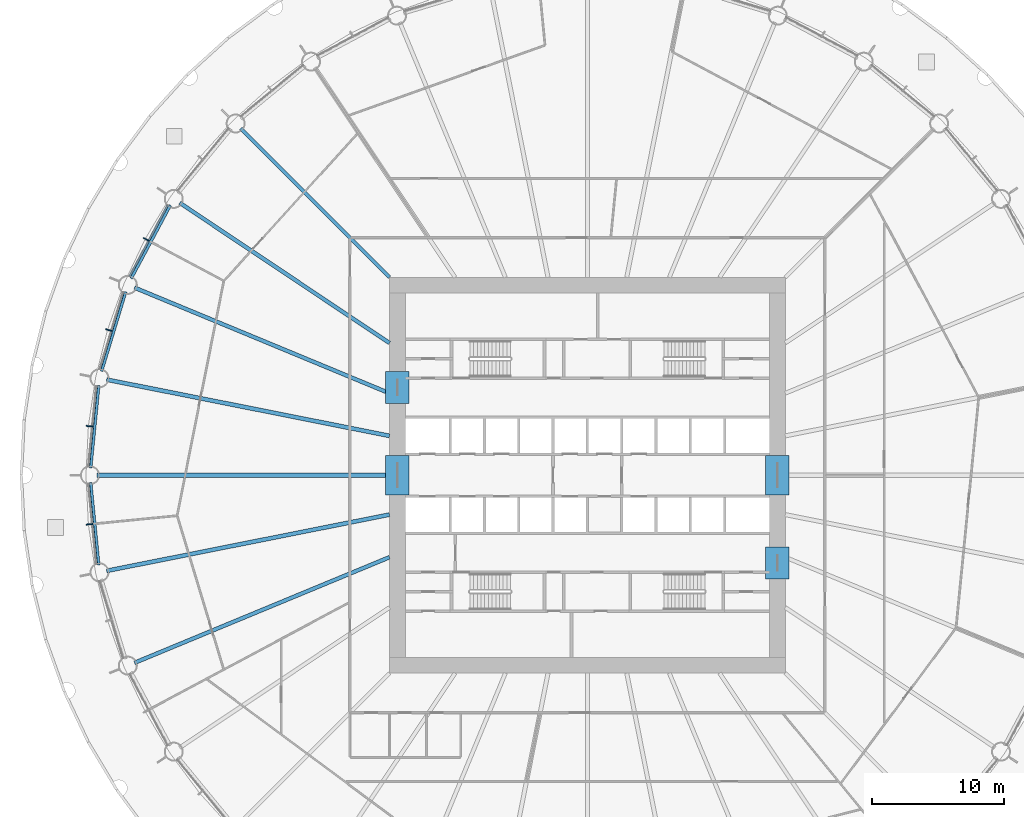
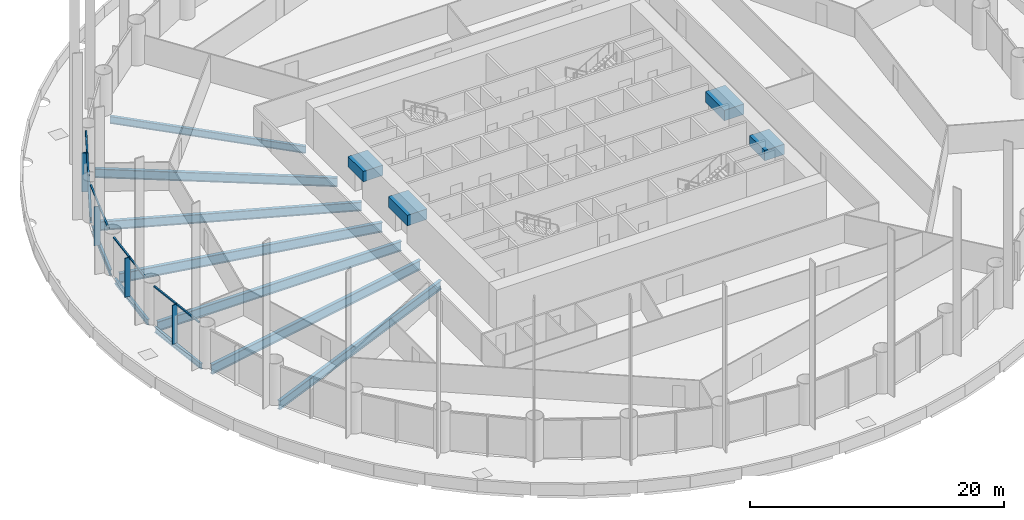
# One storey, part 3 of 17: 15 beams, 12 members, 4 elements without a shape of their own.
"""IFC4 building model written with IfcOpenShell, lengths in metres."""

from ifc_helpers import new_model, si_unit, direction, frame, origin, origin_2d, place, context, subcontext, project, spatial, rectangle, i_section, extrude, material, material_profile, profile_set, type_object, element, aggregate, save


model = new_model("IFC4")

# Units and contexts
model_context = context("Model", 3, precision=1e-05, world=origin(), true_north=direction((0.0, 1.0)))
body_context = subcontext(model_context, "Body", "Model", "MODEL_VIEW")
ifc_project = project(units=[si_unit("LENGTHUNIT", "METRE"), si_unit("AREAUNIT", "SQUARE_METRE"), si_unit("VOLUMEUNIT", "CUBIC_METRE"), si_unit("PLANEANGLEUNIT", "RADIAN"), si_unit("MASSUNIT", "GRAM", prefix="KILO")], contexts=[model_context])

# Site, building, storey
site_placement = place(None, origin())
site = spatial("IfcSite", under=ifc_project, at=site_placement, CompositionType="ELEMENT")
building_placement = place(site_placement, origin())
building = spatial("IfcBuilding", under=site, at=building_placement, Name="Corvane Civic Tower", CompositionType="ELEMENT")
storey_placement = place(building_placement, frame((0.0, 0.0, 37.0)))
storey = spatial("IfcBuildingStorey", under=building, at=storey_placement, Name="L07", CompositionType="ELEMENT", Elevation=37.0)

# Beams
ifc_material_1 = material(Name="Concrete C80/95", Category="concrete")
ifc_material_profile_1 = material_profile(ifc_material_1, rectangle(XDim=1.800048828125, YDim=1.0, at=origin_2d()), Name="COUPLING BEAM 1800X1000")
ifc_profile_set_1 = profile_set([ifc_material_profile_1], Name="Concrete C80/95")
beam_type_1 = type_object("IfcBeamType", Name="COUPLING BEAM COUPLING BEAM 1800X1000", PredefinedType="BEAM", material=ifc_profile_set_1)
for number, where, z_axis, x_axis, name in (
    (1, (-14.39990234375, -1.5, 2.60009765625), (0.0, 1.0, 0.0), (-1.0, 0.0, 0.0), "BM-L07-cpl-CW-LW"),
    (2, (14.39990234375, -1.5, 2.60009765625), (0.0, 1.0, 0.0), (-1.0, 0.0, 0.0), "BM-L07-cpl-CW-LE"),
):
    element("IfcBeam", number, at=place(storey_placement, frame(where, z_axis=z_axis, x_axis=x_axis)), inside=storey, type_object=beam_type_1, Name=name, PredefinedType="BEAM", context=body_context, shape_type="SweptSolid", body=[
        extrude(rectangle(XDim=1.800048828125, YDim=1.0, at=origin_2d()), origin(), (0.0, 0.0, 1.0), 3.0),
    ])
for number, where, z_axis, x_axis, name in (
    (3, (-14.39990234375, 5.449951171875, 2.60009765625), (0.0, 1.0, 0.0), (-1.0, 0.0, 0.0), "BM-L07-cpl-CW-WN"),
    (4, (14.39990234375, -7.85009765625, 2.60009765625), (0.0, 1.0, 0.0), (-1.0, 0.0, 0.0), "BM-L07-cpl-CW-ES"),
):
    element("IfcBeam", number, at=place(storey_placement, frame(where, z_axis=z_axis, x_axis=x_axis)), inside=storey, type_object=beam_type_1, Name=name, PredefinedType="BEAM", context=body_context, shape_type="SweptSolid", body=[
        extrude(rectangle(XDim=1.800048828125, YDim=1.0, at=origin_2d()), origin(), (0.0, 0.0, 1.0), 2.400146484375),
    ])
ifc_material_2 = material(Name="Steel ASTM A992 Gr 50", Category="steel")
ifc_material_profile_2 = material_profile(ifc_material_2, i_section(OverallWidth=0.209228515625, OverallDepth=0.533447265625, WebThickness=0.01025390625, FlangeThickness=0.015625, at=origin_2d()), Name="W21X62")
ifc_profile_set_2 = profile_set([ifc_material_profile_2], Name="Steel ASTM A992 Gr 50")
beam_type_2 = type_object("IfcBeamType", Name="EDGE BEAM W21X62", PredefinedType="BEAM", material=ifc_profile_set_2)
for number, where, z_axis, x_axis, name in (
    (5, (-37.029541015625, -6.8076171875, -0.566650390625), (-0.097997284622, 0.995186682089, 0.0), (-0.995186682089, -0.097997284622, 0.0), "BM-L07-E24"),
    (6, (-37.64599609375, 0.54736328125, -0.566650390625), (0.097997284622, 0.995186682089, 0.0), (-0.995186682089, 0.097997284622, 0.0), "BM-L07-E25"),
):
    element("IfcBeam", number, at=place(storey_placement, frame(where, z_axis=z_axis, x_axis=x_axis)), inside=storey, type_object=beam_type_2, Name=name, PredefinedType="BEAM", context=body_context, shape_type="SweptSolid", body=[
        extrude(i_section(OverallWidth=0.209228515625, OverallDepth=0.533447265625, WebThickness=0.01025390625, FlangeThickness=0.015625, at=origin_2d()), origin(), (0.0, 0.0, 1.0), 6.29052734375),
    ])
for number, where, z_axis, x_axis, name in (
    (7, (-36.81591796875, 7.88134765625, -0.566650390625), (0.290273452184, 0.956943740748, 0.0), (-0.956943740748, 0.290273452184, 0.0), "BM-L07-E26"),
    (8, (-34.571044921875, 14.912353515625, -0.566650390625), (0.471405897311, 0.881916367906, 0.0), (-0.881916367906, 0.471405897311, 0.0), "BM-L07-E27"),
):
    element("IfcBeam", number, at=place(storey_placement, frame(where, z_axis=z_axis, x_axis=x_axis)), inside=storey, type_object=beam_type_2, Name=name, PredefinedType="BEAM", context=body_context, shape_type="SweptSolid", body=[
        extrude(i_section(OverallWidth=0.209228515625, OverallDepth=0.533447265625, WebThickness=0.01025390625, FlangeThickness=0.015625, at=origin_2d()), origin(), (0.0, 0.0, 1.0), 6.290283203125),
    ])
ifc_material_3 = material(Name="Steel ASTM A992 Gr 50", Category="steel")
ifc_material_profile_3 = material_profile(ifc_material_3, i_section(OverallWidth=0.256591796875, OverallDepth=0.693359375, WebThickness=0.014404296875, FlangeThickness=0.023681640625, at=origin_2d()), Name="W27X114")
ifc_profile_set_3 = profile_set([ifc_material_profile_3], Name="Steel ASTM A992 Gr 50")
beam_type_3 = type_object("IfcBeamType", Name="FLOOR GIRDER W27X114", PredefinedType="BEAM", material=ifc_profile_set_3)
beam_1_placement = place(storey_placement, frame((-15.0, 15.0, -0.646728515625), z_axis=(-0.707106781187, 0.707106781187, 0.0), x_axis=(-0.707106781187, -0.707106781187, 0.0)))
element("IfcBeam", 9, at=beam_1_placement, inside=storey, type_object=beam_type_3, Name="BM-L07-G29", PredefinedType="BEAM", context=body_context, shape_type="SweptSolid", body=[
    extrude(i_section(OverallWidth=0.256591796875, OverallDepth=0.693359375, WebThickness=0.014404296875, FlangeThickness=0.023681640625, at=origin_2d()), origin(), (0.0, 0.0, 1.0), 15.936767578125),
])
ifc_material_4 = material(Name="Steel ASTM A992 Gr 50", Category="steel")
ifc_material_profile_4 = material_profile(ifc_material_4, i_section(OverallWidth=0.2919921875, OverallDepth=0.8583984375, WebThickness=0.01708984375, FlangeThickness=0.031005859375, at=origin_2d()), Name="W33X169")
ifc_profile_set_4 = profile_set([ifc_material_profile_4], Name="Steel ASTM A992 Gr 50")
beam_type_4 = type_object("IfcBeamType", Name="FLOOR GIRDER W33X169", PredefinedType="BEAM", material=ifc_profile_set_4)
for number, where, z_axis, x_axis, name in (
    (10, (-15.0, -6.213134765625, -0.729248046875), (-0.923875834355, -0.382692360381, 0.0), (0.382692360381, -0.923875834355, 0.0), "BM-L07-G23"),
    (11, (-15.0, 6.213134765625, -0.729248046875), (-0.923875834355, 0.382692360381, 0.0), (-0.382692360381, -0.923875834355, 0.0), "BM-L07-G27"),
):
    element("IfcBeam", number, at=place(storey_placement, frame(where, z_axis=z_axis, x_axis=x_axis)), inside=storey, type_object=beam_type_4, Name=name, PredefinedType="BEAM", context=body_context, shape_type="SweptSolid", body=[
        extrude(i_section(OverallWidth=0.2919921875, OverallDepth=0.8583984375, WebThickness=0.01708984375, FlangeThickness=0.031005859375, at=origin_2d()), origin(), (0.0, 0.0, 1.0), 20.9140625),
    ])
beam_2_placement = place(storey_placement, frame((-15.0, 10.022705078125, -0.729248046875), z_axis=(-0.831471985418, 0.555566681385, 0.0), x_axis=(-0.555566681385, -0.831471985418, 0.0)))
element("IfcBeam", 12, at=beam_2_placement, inside=storey, type_object=beam_type_4, Name="BM-L07-G28", PredefinedType="BEAM", context=body_context, shape_type="SweptSolid", body=[
    extrude(i_section(OverallWidth=0.2919921875, OverallDepth=0.8583984375, WebThickness=0.01708984375, FlangeThickness=0.031005859375, at=origin_2d()), origin(), (0.0, 0.0, 1.0), 19.109619140625),
])
ifc_material_5 = material(Name="Steel ASTM A992 Gr 50", Category="steel")
ifc_material_profile_5 = material_profile(ifc_material_5, i_section(OverallWidth=0.307373046875, OverallDepth=0.927001953125, WebThickness=0.01953125, FlangeThickness=0.031982421875, at=origin_2d()), Name="W36X194")
ifc_profile_set_5 = profile_set([ifc_material_profile_5], Name="Steel ASTM A992 Gr 50")
beam_type_5 = type_object("IfcBeamType", Name="FLOOR GIRDER W36X194", PredefinedType="BEAM", material=ifc_profile_set_5)
beam_3_placement = place(storey_placement, frame((-15.0, -2.983642578125, -0.763671875), z_axis=(-0.980785499679, -0.195089219638, 0.0), x_axis=(0.195089219638, -0.980785499679, 0.0)))
element("IfcBeam", 13, at=beam_3_placement, inside=storey, type_object=beam_type_5, Name="BM-L07-G24", PredefinedType="BEAM", context=body_context, shape_type="SweptSolid", body=[
    extrude(i_section(OverallWidth=0.307373046875, OverallDepth=0.927001953125, WebThickness=0.01953125, FlangeThickness=0.031982421875, at=origin_2d()), origin(), (0.0, 0.0, 1.0), 21.856201171875),
])
beam_4_placement = place(storey_placement, frame((-15.0, 0.0, -0.763671875), z_axis=(-1.0, 0.0, 0.0), x_axis=(0.0, -1.0, 0.0)))
element("IfcBeam", 14, at=beam_4_placement, inside=storey, type_object=beam_type_5, Name="BM-L07-G25", PredefinedType="BEAM", context=body_context, shape_type="SweptSolid", body=[
    extrude(i_section(OverallWidth=0.307373046875, OverallDepth=0.927001953125, WebThickness=0.01953125, FlangeThickness=0.031982421875, at=origin_2d()), origin(), (0.0, 0.0, 1.0), 22.14990234375),
])
beam_5_placement = place(storey_placement, frame((-15.0, 2.983642578125, -0.763671875), z_axis=(-0.980785499679, 0.195089219638, 0.0), x_axis=(-0.195089219638, -0.980785499679, 0.0)))
element("IfcBeam", 15, at=beam_5_placement, inside=storey, type_object=beam_type_5, Name="BM-L07-G26", PredefinedType="BEAM", context=body_context, shape_type="SweptSolid", body=[
    extrude(i_section(OverallWidth=0.307373046875, OverallDepth=0.927001953125, WebThickness=0.01953125, FlangeThickness=0.031982421875, at=origin_2d()), origin(), (0.0, 0.0, 1.0), 21.856201171875),
])

# Curtain wall, members
ifc_material_6 = material(Name="Anodised aluminium bronze", Category="aluminium")
curtain_wall_type = type_object("IfcCurtainWallType", Name="TOWER CW-T1 STICK CURTAIN WALL", PredefinedType="NOTDEFINED", material=ifc_material_6)
curtain_wall_1_placement = place(storey_placement, origin())
curtain_wall_1 = element("IfcCurtainWall", 16, at=curtain_wall_1_placement, inside=storey, type_object=curtain_wall_type, Name="Curtain wall CW-T1 L07 bay 24", PredefinedType="NOTDEFINED")
ifc_material_7 = material(Name="Anodised aluminium bronze", Category="aluminium")
ifc_material_profile_6 = material_profile(ifc_material_7, rectangle(XDim=0.139892578125, YDim=0.1201171875, at=origin_2d()), Name="TOWER CW-T1 TRANSOM 140x120")
ifc_profile_set_6 = profile_set([ifc_material_profile_6], Name="Anodised aluminium bronze")
member_type_1 = type_object("IfcMemberType", Name="TOWER CW-T1 TRANSOM 140x120", PredefinedType="USERDEFINED", material=ifc_profile_set_6)
member_1_placement = place(storey_placement, frame((-37.21728515625, -6.72900390625, 3.68994140625), z_axis=(-0.097944923917, 0.995191836722, 0.0), x_axis=(-0.995191836722, -0.097944923917, 0.0)))
member_1 = element("IfcMember", 17, at=member_1_placement, type_object=member_type_1, Name="Transom CW-T1 L07 24.1", ObjectType="TRANSOM", PredefinedType="USERDEFINED", context=body_context, shape_type="SweptSolid", body=[
    extrude(rectangle(XDim=0.139892578125, YDim=0.1201171875, at=origin_2d()), origin(), (0.0, 0.0, 1.0), 3.008544921875),
])
member_2_placement = place(storey_placement, frame((-37.52001953125, -3.6552734375, 3.68994140625), z_axis=(-0.097944923917, 0.995191836722, 0.0), x_axis=(-0.995191836722, -0.097944923917, 0.0)))
member_2 = element("IfcMember", 18, at=member_2_placement, type_object=member_type_1, Name="Transom CW-T1 L07 24.2", ObjectType="TRANSOM", PredefinedType="USERDEFINED", context=body_context, shape_type="SweptSolid", body=[
    extrude(rectangle(XDim=0.139892578125, YDim=0.1201171875, at=origin_2d()), origin(), (0.0, 0.0, 1.0), 3.008544921875),
])

curtain_wall_2_placement = place(storey_placement, origin())
curtain_wall_2 = element("IfcCurtainWall", 19, at=curtain_wall_2_placement, inside=storey, type_object=curtain_wall_type, Name="Curtain wall CW-T1 L07 bay 25", PredefinedType="NOTDEFINED")
member_3_placement = place(storey_placement, frame((-37.814697265625, 0.6611328125, 3.68994140625), z_axis=(0.097944923917, 0.995191836722, 0.0), x_axis=(-0.995191836722, 0.097944923917, 0.0)))
member_3 = element("IfcMember", 20, at=member_3_placement, type_object=member_type_1, Name="Transom CW-T1 L07 25.1", ObjectType="TRANSOM", PredefinedType="USERDEFINED", context=body_context, shape_type="SweptSolid", body=[
    extrude(rectangle(XDim=0.139892578125, YDim=0.1201171875, at=origin_2d()), origin(), (0.0, 0.0, 1.0), 3.008544921875),
])
member_4_placement = place(storey_placement, frame((-37.511962890625, 3.73486328125, 3.68994140625), z_axis=(0.097944923917, 0.995191836722, 0.0), x_axis=(-0.995191836722, 0.097944923917, 0.0)))
member_4 = element("IfcMember", 21, at=member_4_placement, type_object=member_type_1, Name="Transom CW-T1 L07 25.2", ObjectType="TRANSOM", PredefinedType="USERDEFINED", context=body_context, shape_type="SweptSolid", body=[
    extrude(rectangle(XDim=0.139892578125, YDim=0.1201171875, at=origin_2d()), origin(), (0.0, 0.0, 1.0), 3.008544921875),
])

curtain_wall_3_placement = place(storey_placement, origin())
curtain_wall_3 = element("IfcCurtainWall", 22, at=curtain_wall_3_placement, inside=storey, type_object=curtain_wall_type, Name="Curtain wall CW-T1 L07 bay 26", PredefinedType="NOTDEFINED")
member_5_placement = place(storey_placement, frame((-36.959228515625, 8.02587890625, 3.68994140625), z_axis=(0.290279914268, 0.956941780555, 0.0), x_axis=(-0.956941780555, 0.290279914268, 0.0)))
member_5 = element("IfcMember", 23, at=member_5_placement, type_object=member_type_1, Name="Transom CW-T1 L07 26.1", ObjectType="TRANSOM", PredefinedType="USERDEFINED", context=body_context, shape_type="SweptSolid", body=[
    extrude(rectangle(XDim=0.139892578125, YDim=0.1201171875, at=origin_2d()), origin(), (0.0, 0.0, 1.0), 3.008544921875),
])
member_6_placement = place(storey_placement, frame((-36.062744140625, 10.9814453125, 3.68994140625), z_axis=(0.290279914268, 0.956941780555, 0.0), x_axis=(-0.956941780555, 0.290279914268, 0.0)))
member_6 = element("IfcMember", 24, at=member_6_placement, type_object=member_type_1, Name="Transom CW-T1 L07 26.2", ObjectType="TRANSOM", PredefinedType="USERDEFINED", context=body_context, shape_type="SweptSolid", body=[
    extrude(rectangle(XDim=0.139892578125, YDim=0.1201171875, at=origin_2d()), origin(), (0.0, 0.0, 1.0), 3.008544921875),
])

curtain_wall_4_placement = place(storey_placement, origin())
curtain_wall_4 = element("IfcCurtainWall", 25, at=curtain_wall_4_placement, inside=storey, type_object=curtain_wall_type, Name="Curtain wall CW-T1 L07 bay 27", PredefinedType="NOTDEFINED")
member_7_placement = place(storey_placement, frame((-34.683349609375, 15.08203125, 3.68994140625), z_axis=(0.471392506424, 0.881923525532, 0.0), x_axis=(-0.881923525532, 0.471392506424, 0.0)))
member_7 = element("IfcMember", 26, at=member_7_placement, type_object=member_type_1, Name="Transom CW-T1 L07 27.1", ObjectType="TRANSOM", PredefinedType="USERDEFINED", context=body_context, shape_type="SweptSolid", body=[
    extrude(rectangle(XDim=0.139892578125, YDim=0.1201171875, at=origin_2d()), origin(), (0.0, 0.0, 1.0), 3.008544921875),
])
member_8_placement = place(storey_placement, frame((-33.2275390625, 17.805908203125, 3.68994140625), z_axis=(0.471392506424, 0.881923525532, 0.0), x_axis=(-0.881923525532, 0.471392506424, 0.0)))
member_8 = element("IfcMember", 27, at=member_8_placement, type_object=member_type_1, Name="Transom CW-T1 L07 27.2", ObjectType="TRANSOM", PredefinedType="USERDEFINED", context=body_context, shape_type="SweptSolid", body=[
    extrude(rectangle(XDim=0.139892578125, YDim=0.1201171875, at=origin_2d()), origin(), (0.0, 0.0, 1.0), 3.008544921875),
])

# Member
ifc_material_8 = material(Name="Anodised aluminium bronze", Category="aluminium")
ifc_material_profile_7 = material_profile(ifc_material_8, rectangle(XDim=0.080078125, YDim=0.5, at=origin_2d()), Name="TOWER FIN MULLION 80x500 BRONZE")
ifc_profile_set_7 = profile_set([ifc_material_profile_7], Name="Anodised aluminium bronze")
member_type_2 = type_object("IfcMemberType", Name="TOWER FIN MULLION 80x500 BRONZE", PredefinedType="MULLION", material=ifc_profile_set_7)
member_9_placement = place(storey_placement, frame((-37.715087890625, -3.714599609375, 0.0), z_axis=(0.0, 0.0, 1.0), x_axis=(-0.098006239521, 0.995185800248, 0.0)))
member_9 = element("IfcMember", 28, at=member_9_placement, type_object=member_type_2, Name="Fin mullion 24 L07", PredefinedType="MULLION", context=body_context, shape_type="SweptSolid", body=[
    extrude(rectangle(XDim=0.080078125, YDim=0.5, at=origin_2d()), origin(), (0.0, 0.0, 1.0), 3.75),
])

aggregate(curtain_wall_1, [member_9, member_1, member_2])

member_10_placement = place(storey_placement, frame((-37.715087890625, 3.714599609375, 0.0), z_axis=(0.0, 0.0, 1.0), x_axis=(0.098006239521, 0.995185800248, 0.0)))
member_10 = element("IfcMember", 29, at=member_10_placement, type_object=member_type_2, Name="Fin mullion 25 L07", PredefinedType="MULLION", context=body_context, shape_type="SweptSolid", body=[
    extrude(rectangle(XDim=0.080078125, YDim=0.5, at=origin_2d()), origin(), (0.0, 0.0, 1.0), 3.75),
])

aggregate(curtain_wall_2, [member_10, member_3, member_4])

member_11_placement = place(storey_placement, frame((-36.265625, 11.001220703125, 0.0), z_axis=(0.0, 0.0, 1.0), x_axis=(0.290278397654, 0.956942240606, 0.0)))
member_11 = element("IfcMember", 30, at=member_11_placement, type_object=member_type_2, Name="Fin mullion 26 L07", PredefinedType="MULLION", context=body_context, shape_type="SweptSolid", body=[
    extrude(rectangle(XDim=0.080078125, YDim=0.5, at=origin_2d()), origin(), (0.0, 0.0, 1.0), 3.75),
])

aggregate(curtain_wall_3, [member_11, member_5, member_6])

member_12_placement = place(storey_placement, frame((-33.422607421875, 17.86474609375, 0.0), z_axis=(0.0, 0.0, 1.0), x_axis=(0.471403725359, 0.881917528864, 0.0)))
member_12 = element("IfcMember", 31, at=member_12_placement, type_object=member_type_2, Name="Fin mullion 27 L07", PredefinedType="MULLION", context=body_context, shape_type="SweptSolid", body=[
    extrude(rectangle(XDim=0.080078125, YDim=0.5, at=origin_2d()), origin(), (0.0, 0.0, 1.0), 3.75),
])

aggregate(curtain_wall_4, [member_12, member_7, member_8])

save(model, "model.ifc")
